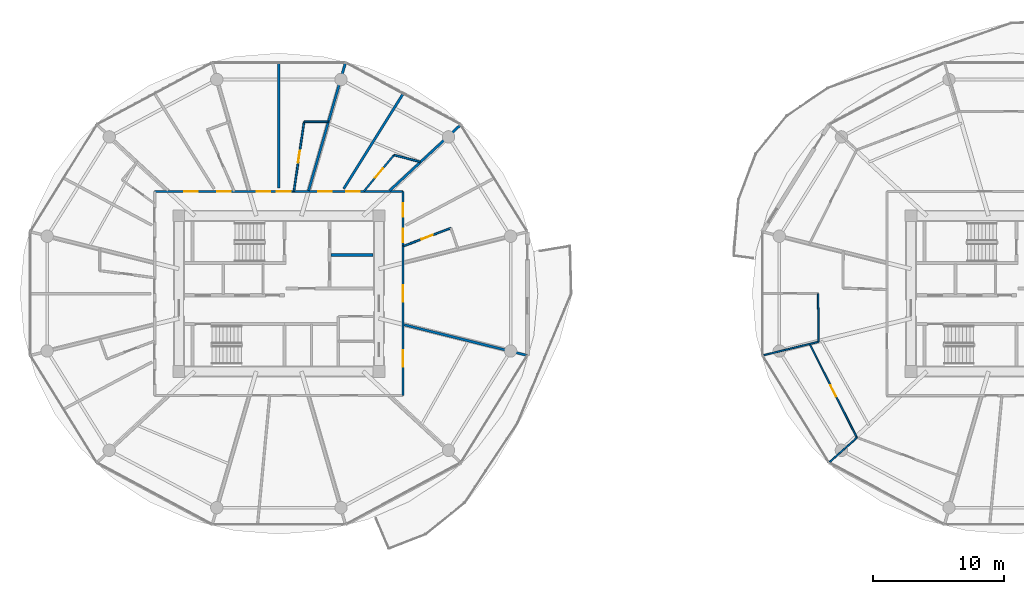
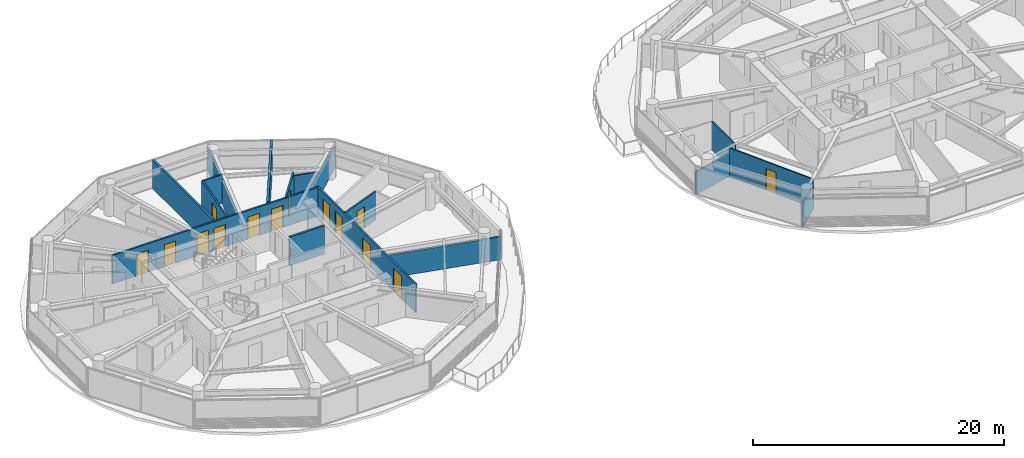
# One storey, part 17 of 27: 17 walls, 14 doors, 14 openings.
"""IFC4 building model written with IfcOpenShell, lengths in metres."""

from ifc_helpers import new_model, si_unit, direction, frame, frame_2d, origin, place, context, subcontext, project, spatial, rectangle, extrude, source, transform, mapped, material, layer, layer_set, type_object, type_shapes, element, fill, save


model = new_model("IFC4")

# Units and contexts
model_context = context("Model", 3, precision=1e-05, world=origin(), true_north=direction((0.0, 1.0)))
body_context = subcontext(model_context, "Body", "Model", "MODEL_VIEW")
ifc_project = project(units=[si_unit("LENGTHUNIT", "METRE"), si_unit("AREAUNIT", "SQUARE_METRE"), si_unit("VOLUMEUNIT", "CUBIC_METRE"), si_unit("PLANEANGLEUNIT", "RADIAN"), si_unit("MASSUNIT", "GRAM", prefix="KILO")], contexts=[model_context])

# Site, building, storey
site_placement = place(None, origin())
site = spatial("IfcSite", under=ifc_project, at=site_placement, CompositionType="ELEMENT")
building_placement = place(site_placement, origin())
building = spatial("IfcBuilding", under=site, at=building_placement, Name="Norrkilde Senior Care Towers", CompositionType="ELEMENT")
storey_placement = place(building_placement, frame((0.0, 0.0, 58.199951171875)))
storey = spatial("IfcBuildingStorey", under=building, at=storey_placement, Name="L17", CompositionType="ELEMENT", Elevation=58.199951171875)

# Wall
ifc_material_1 = material(Name="Concrete C45/55", Category="concrete")
ifc_layer_1 = layer(ifc_material_1, 0.199951171875)
ifc_layer_set_1 = layer_set([ifc_layer_1], Name="Concrete C45/55")
wall_type_1 = type_object("IfcWallType", Name="Shaft Division and Plant Partition 200", PredefinedType="PARTITIONING", material=ifc_layer_set_1)
shared_shape_1 = source(origin(), body_context, "Body", "SweptSolid", [
    extrude(rectangle(XDim=3.199951171875, YDim=0.199951171875, at=frame_2d((1.60009765625, 0.0))), origin(), (0.0, 0.0, 1.0), 2.775146484375),
])
type_shapes(wall_type_1, [shared_shape_1])
wall_1_placement = place(storey_placement, frame((-24.0, 2.949951171875, 0.0), z_axis=(0.0, 0.0, 1.0), x_axis=(1.0, 0.0, 0.0)))
element("IfcWall", 1, at=wall_1_placement, inside=storey, type_object=wall_type_1, Name="WL-INT-L17-W-FFLDIV", PredefinedType="PARTITIONING", context=body_context, shape_type="MappedRepresentation", body=[
    mapped(shared_shape_1, transform((0.0, 0.0, 0.0), x_axis=(1.0, 0.0, 0.0), y_axis=(0.0, 1.0, 0.0), z_axis=(0.0, 0.0, 1.0), scale=1.0)),
])

# Wall, openings, doors
ifc_material_2 = material(Name="Gypsum Acoustic Board")
ifc_layer_2 = layer(ifc_material_2, 0.1650390625)
ifc_layer_set_2 = layer_set([ifc_layer_2], Name="Gypsum Acoustic Board")
wall_type_2 = type_object("IfcWallType", Name="Corridor Rated Partition 165", PredefinedType="PARTITIONING", material=ifc_layer_set_2)
shared_shape_2 = source(origin(), body_context, "Body", "SweptSolid", [
    extrude(rectangle(XDim=19.0, YDim=0.1650390625, at=frame_2d((9.5, 0.0))), origin(), (0.0, 0.0, 1.0), 2.775146484375),
])
wall_2_placement = place(storey_placement, frame((-37.5, 7.800048828125, 0.0), z_axis=(0.0, 0.0, 1.0), x_axis=(1.0, 0.0, 0.0)))
wall_2 = element("IfcWall", 2, at=wall_2_placement, inside=storey, type_object=wall_type_2, Name="WL-INT-L17-W-CRW-N-0", PredefinedType="PARTITIONING", context=body_context, shape_type="MappedRepresentation", body=[
    mapped(shared_shape_2, transform((0.0, 0.0, 0.0), x_axis=(1.0, 0.0, 0.0), y_axis=(0.0, 1.0, 0.0), z_axis=(0.0, 0.0, 1.0), scale=1.0)),
])
opening_1_placement = place(wall_2_placement, frame((14.6533203125, 0.0, 0.0)))
opening_1 = element("IfcOpeningElement", 3, at=opening_1_placement, cuts=wall_2, Name="Opening D-06", PredefinedType="OPENING", context=body_context, shape_type="SweptSolid", body=[
    extrude(rectangle(XDim=1.050048828125, YDim=2.14990234375, at=frame_2d((0.52490234375, 1.074951171875))), frame((0.0, 0.092529296875, 0.0), z_axis=(0.0, -1.0, 0.0), x_axis=(1.0, 0.0, 0.0)), (0.0, 0.0, 1.0), 0.18505859375),
])
opening_2_placement = place(wall_2_placement, frame((12.499755859375, 0.0, 0.0)))
opening_2 = element("IfcOpeningElement", 4, at=opening_2_placement, cuts=wall_2, Name="Opening D-06", PredefinedType="OPENING", context=body_context, shape_type="SweptSolid", body=[
    extrude(rectangle(XDim=1.050048828125, YDim=2.14990234375, at=frame_2d((0.52490234375, 1.074951171875))), frame((0.0, 0.092529296875, 0.0), z_axis=(0.0, -1.0, 0.0), x_axis=(1.0, 0.0, 0.0)), (0.0, 0.0, 1.0), 0.18505859375),
])
opening_3_placement = place(wall_2_placement, frame((9.351806640625, 0.0, 0.0)))
opening_3 = element("IfcOpeningElement", 5, at=opening_3_placement, cuts=wall_2, Name="Opening D-06", PredefinedType="OPENING", context=body_context, shape_type="SweptSolid", body=[
    extrude(rectangle(XDim=1.050048828125, YDim=2.14990234375, at=frame_2d((0.52490234375, 1.074951171875))), frame((0.0, 0.092529296875, 0.0), z_axis=(0.0, -1.0, 0.0), x_axis=(1.0, 0.0, 0.0)), (0.0, 0.0, 1.0), 0.18505859375),
])
opening_4_placement = place(wall_2_placement, frame((7.806396484375, 0.0, 0.0)))
opening_4 = element("IfcOpeningElement", 6, at=opening_4_placement, cuts=wall_2, Name="Opening D-06", PredefinedType="OPENING", context=body_context, shape_type="SweptSolid", body=[
    extrude(rectangle(XDim=1.050048828125, YDim=2.14990234375, at=frame_2d((0.52490234375, 1.074951171875))), frame((0.0, 0.092529296875, 0.0), z_axis=(0.0, -1.0, 0.0), x_axis=(1.0, 0.0, 0.0)), (0.0, 0.0, 1.0), 0.18505859375),
])
opening_5_placement = place(wall_2_placement, frame((4.77294921875, 0.0, 0.0)))
opening_5 = element("IfcOpeningElement", 7, at=opening_5_placement, cuts=wall_2, Name="Opening D-06", PredefinedType="OPENING", context=body_context, shape_type="SweptSolid", body=[
    extrude(rectangle(XDim=1.050048828125, YDim=2.14990234375, at=frame_2d((0.52490234375, 1.074951171875))), frame((0.0, 0.092529296875, 0.0), z_axis=(0.0, -1.0, 0.0), x_axis=(1.0, 0.0, 0.0)), (0.0, 0.0, 1.0), 0.18505859375),
])
opening_6_placement = place(wall_2_placement, frame((2.251220703125, 0.0, 0.0)))
opening_6 = element("IfcOpeningElement", 8, at=opening_6_placement, cuts=wall_2, Name="Opening D-06", PredefinedType="OPENING", context=body_context, shape_type="SweptSolid", body=[
    extrude(rectangle(XDim=1.050048828125, YDim=2.14990234375, at=frame_2d((0.52490234375, 1.074951171875))), frame((0.0, 0.092529296875, 0.0), z_axis=(0.0, -1.0, 0.0), x_axis=(1.0, 0.0, 0.0)), (0.0, 0.0, 1.0), 0.18505859375),
])
ifc_material_3 = material(Name="Nordic Ash Timber", Category="wood")
door_type_1 = type_object("IfcDoorType", Name="Apartment Entrance Fire Door 1050x2150", OperationType="NOTDEFINED", PredefinedType="DOOR", material=ifc_material_3)
shared_shape_3 = source(origin(), body_context, "Body", "SweptSolid", [
    extrude(rectangle(XDim=1.050048828125, YDim=2.14990234375, at=frame_2d((0.52490234375, 1.074951171875))), frame((0.0, 0.02490234375, 0.0), z_axis=(0.0, -1.0, 0.0), x_axis=(1.0, 0.0, 0.0)), (0.0, 0.0, 1.0), 0.050048828125),
])
type_shapes(door_type_1, [shared_shape_3])
door_1_placement = place(opening_1_placement, frame((1.050048828125, 0.0, 0.0), z_axis=(0.0, 0.0, 1.0), x_axis=(-1.0, 0.0, 0.0)))
door_1 = element("IfcDoor", 9, at=door_1_placement, inside=storey, type_object=door_type_1, Name="L17 Care Suite 1701A Entrance Door", OperationType="SINGLE_SWING_LEFT", OverallHeight=2.14990234375, OverallWidth=1.050048828125, PredefinedType="DOOR", context=body_context, shape_type="MappedRepresentation", body=[
    mapped(shared_shape_3, transform((0.0, 0.0, 0.0), x_axis=(1.0, 0.0, 0.0), y_axis=(0.0, 1.0, 0.0), z_axis=(0.0, 0.0, 1.0), scale=1.0)),
])
fill(opening_1, door_1)
door_2_placement = place(opening_2_placement, frame((1.050048828125, 0.0, 0.0), z_axis=(0.0, 0.0, 1.0), x_axis=(-1.0, 0.0, 0.0)))
door_2 = element("IfcDoor", 10, at=door_2_placement, inside=storey, type_object=door_type_1, Name="L17 Therapy Day Lounge 01 Door", OperationType="SINGLE_SWING_LEFT", OverallHeight=2.14990234375, OverallWidth=1.050048828125, PredefinedType="DOOR", context=body_context, shape_type="MappedRepresentation", body=[
    mapped(shared_shape_3, transform((0.0, 0.0, 0.0), x_axis=(1.0, 0.0, 0.0), y_axis=(0.0, 1.0, 0.0), z_axis=(0.0, 0.0, 1.0), scale=1.0)),
])
fill(opening_2, door_2)
door_3_placement = place(opening_3_placement, frame((1.050048828125, 0.0, 0.0), z_axis=(0.0, 0.0, 1.0), x_axis=(-1.0, 0.0, 0.0)))
door_3 = element("IfcDoor", 11, at=door_3_placement, inside=storey, type_object=door_type_1, Name="L17 Care Suite 1702A Entrance Door", OperationType="SINGLE_SWING_RIGHT", OverallHeight=2.14990234375, OverallWidth=1.050048828125, PredefinedType="DOOR", context=body_context, shape_type="MappedRepresentation", body=[
    mapped(shared_shape_3, transform((0.0, 0.0, 0.0), x_axis=(1.0, 0.0, 0.0), y_axis=(0.0, 1.0, 0.0), z_axis=(0.0, 0.0, 1.0), scale=1.0)),
])
fill(opening_3, door_3)
door_4_placement = place(opening_4_placement, frame((1.050048828125, 0.0, 0.0), z_axis=(0.0, 0.0, 1.0), x_axis=(-1.0, 0.0, 0.0)))
door_4 = element("IfcDoor", 12, at=door_4_placement, inside=storey, type_object=door_type_1, Name="L17 Therapy Day Lounge 02 Door", OperationType="SINGLE_SWING_RIGHT", OverallHeight=2.14990234375, OverallWidth=1.050048828125, PredefinedType="DOOR", context=body_context, shape_type="MappedRepresentation", body=[
    mapped(shared_shape_3, transform((0.0, 0.0, 0.0), x_axis=(1.0, 0.0, 0.0), y_axis=(0.0, 1.0, 0.0), z_axis=(0.0, 0.0, 1.0), scale=1.0)),
])
fill(opening_4, door_4)
door_5_placement = place(opening_5_placement, frame((1.050048828125, 0.0, 0.0), z_axis=(0.0, 0.0, 1.0), x_axis=(-1.0, 0.0, 0.0)))
door_5 = element("IfcDoor", 13, at=door_5_placement, inside=storey, type_object=door_type_1, Name="L17 Care Suite 1703A Entrance Door", OperationType="SINGLE_SWING_LEFT", OverallHeight=2.14990234375, OverallWidth=1.050048828125, PredefinedType="DOOR", context=body_context, shape_type="MappedRepresentation", body=[
    mapped(shared_shape_3, transform((0.0, 0.0, 0.0), x_axis=(1.0, 0.0, 0.0), y_axis=(0.0, 1.0, 0.0), z_axis=(0.0, 0.0, 1.0), scale=1.0)),
])
fill(opening_5, door_5)
door_6_placement = place(opening_6_placement, frame((1.050048828125, 0.0, 0.0), z_axis=(0.0, 0.0, 1.0), x_axis=(-1.0, 0.0, 0.0)))
door_6 = element("IfcDoor", 14, at=door_6_placement, inside=storey, type_object=door_type_1, Name="L17 Therapy Day Lounge 03 Door", OperationType="SINGLE_SWING_LEFT", OverallHeight=2.14990234375, OverallWidth=1.050048828125, PredefinedType="DOOR", context=body_context, shape_type="MappedRepresentation", body=[
    mapped(shared_shape_3, transform((0.0, 0.0, 0.0), x_axis=(1.0, 0.0, 0.0), y_axis=(0.0, 1.0, 0.0), z_axis=(0.0, 0.0, 1.0), scale=1.0)),
])
fill(opening_6, door_6)

shared_shape_4 = source(origin(), body_context, "Body", "SweptSolid", [
    extrude(rectangle(XDim=15.60009765625, YDim=0.1650390625, at=frame_2d((7.800048828125, 0.0))), origin(), (0.0, 0.0, 1.0), 2.775146484375),
])
type_shapes(wall_type_2, [shared_shape_2, shared_shape_4])
wall_3_placement = place(storey_placement, frame((-18.5, 7.800048828125, 0.0), z_axis=(0.0, 0.0, 1.0), x_axis=(0.0, -1.0, 0.0)))
wall_3 = element("IfcWall", 15, at=wall_3_placement, inside=storey, type_object=wall_type_2, Name="WL-INT-L17-W-CRW-E-0", PredefinedType="PARTITIONING", context=body_context, shape_type="MappedRepresentation", body=[
    mapped(shared_shape_4, transform((0.0, 0.0, 0.0), x_axis=(1.0, 0.0, 0.0), y_axis=(0.0, 1.0, 0.0), z_axis=(0.0, 0.0, 1.0), scale=1.0)),
])
opening_7_placement = place(wall_3_placement, frame((12.141357421875, 0.0, 0.0)))
opening_7 = element("IfcOpeningElement", 16, at=opening_7_placement, cuts=wall_3, Name="Opening D-05", PredefinedType="OPENING", context=body_context, shape_type="SweptSolid", body=[
    extrude(rectangle(XDim=1.25, YDim=2.199951171875, at=frame_2d((0.625, 1.10009765625))), frame((0.0, 0.092529296875, 0.0), z_axis=(0.0, -1.0, 0.0), x_axis=(1.0, 0.0, 0.0)), (0.0, 0.0, 1.0), 0.18505859375),
])
opening_8_placement = place(wall_3_placement, frame((7.175048828125, 0.0, 0.0)))
opening_8 = element("IfcOpeningElement", 17, at=opening_8_placement, cuts=wall_3, Name="Opening D-05", PredefinedType="OPENING", context=body_context, shape_type="SweptSolid", body=[
    extrude(rectangle(XDim=1.25, YDim=2.199951171875, at=frame_2d((0.625, 1.10009765625))), frame((0.0, 0.092529296875, 0.0), z_axis=(0.0, -1.0, 0.0), x_axis=(1.0, 0.0, 0.0)), (0.0, 0.0, 1.0), 0.18505859375),
])
opening_9_placement = place(wall_3_placement, frame((2.826416015625, 0.0, 0.0)))
opening_9 = element("IfcOpeningElement", 18, at=opening_9_placement, cuts=wall_3, Name="Opening D-06", PredefinedType="OPENING", context=body_context, shape_type="SweptSolid", body=[
    extrude(rectangle(XDim=1.050048828125, YDim=2.14990234375, at=frame_2d((0.52490234375, 1.074951171875))), frame((0.0, 0.092529296875, 0.0), z_axis=(0.0, -1.0, 0.0), x_axis=(1.0, 0.0, 0.0)), (0.0, 0.0, 1.0), 0.18505859375),
])
opening_10_placement = place(wall_3_placement, frame((0.88134765625, 0.0, 0.0)))
opening_10 = element("IfcOpeningElement", 19, at=opening_10_placement, cuts=wall_3, Name="Opening D-06", PredefinedType="OPENING", context=body_context, shape_type="SweptSolid", body=[
    extrude(rectangle(XDim=1.050048828125, YDim=2.14990234375, at=frame_2d((0.52490234375, 1.074951171875))), frame((0.0, 0.092529296875, 0.0), z_axis=(0.0, -1.0, 0.0), x_axis=(1.0, 0.0, 0.0)), (0.0, 0.0, 1.0), 0.18505859375),
])
door_type_2 = type_object("IfcDoorType", Name="Care Bedroom Bariatric Door 1250x2200", OperationType="NOTDEFINED", PredefinedType="DOOR", material=ifc_material_3)
shared_shape_5 = source(origin(), body_context, "Body", "SweptSolid", [
    extrude(rectangle(XDim=1.25, YDim=2.199951171875, at=frame_2d((0.625, 1.10009765625))), frame((0.0, 0.02490234375, 0.0), z_axis=(0.0, -1.0, 0.0), x_axis=(1.0, 0.0, 0.0)), (0.0, 0.0, 1.0), 0.050048828125),
])
type_shapes(door_type_2, [shared_shape_5])
door_7_placement = place(opening_7_placement, frame((1.25, 0.0, 0.0), z_axis=(0.0, 0.0, 1.0), x_axis=(-1.0, 0.0, 0.0)))
door_7 = element("IfcDoor", 20, at=door_7_placement, inside=storey, type_object=door_type_2, Name="L17 Household Communal Dining Salon Door", OperationType="SINGLE_SWING_LEFT", OverallHeight=2.199951171875, OverallWidth=1.25, PredefinedType="DOOR", context=body_context, shape_type="MappedRepresentation", body=[
    mapped(shared_shape_5, transform((0.0, 0.0, 0.0), x_axis=(1.0, 0.0, 0.0), y_axis=(0.0, 1.0, 0.0), z_axis=(0.0, 0.0, 1.0), scale=1.0)),
])
fill(opening_7, door_7)
door_8_placement = place(opening_8_placement, frame((1.25, 0.0, 0.0), z_axis=(0.0, 0.0, 1.0), x_axis=(-1.0, 0.0, 0.0)))
door_8 = element("IfcDoor", 21, at=door_8_placement, inside=storey, type_object=door_type_2, Name="L17 Household Therapeutic Kitchen Door", OperationType="SINGLE_SWING_RIGHT", OverallHeight=2.199951171875, OverallWidth=1.25, PredefinedType="DOOR", context=body_context, shape_type="MappedRepresentation", body=[
    mapped(shared_shape_5, transform((0.0, 0.0, 0.0), x_axis=(1.0, 0.0, 0.0), y_axis=(0.0, 1.0, 0.0), z_axis=(0.0, 0.0, 1.0), scale=1.0)),
])
fill(opening_8, door_8)
door_9_placement = place(opening_9_placement, frame((1.050048828125, 0.0, 0.0), z_axis=(0.0, 0.0, 1.0), x_axis=(-1.0, 0.0, 0.0)))
door_9 = element("IfcDoor", 22, at=door_9_placement, inside=storey, type_object=door_type_1, Name="L17 Care Suite 1700A Entrance Door", OperationType="SINGLE_SWING_RIGHT", OverallHeight=2.14990234375, OverallWidth=1.050048828125, PredefinedType="DOOR", context=body_context, shape_type="MappedRepresentation", body=[
    mapped(shared_shape_3, transform((0.0, 0.0, 0.0), x_axis=(1.0, 0.0, 0.0), y_axis=(0.0, 1.0, 0.0), z_axis=(0.0, 0.0, 1.0), scale=1.0)),
])
fill(opening_9, door_9)
door_10_placement = place(opening_10_placement, frame((1.050048828125, 0.0, 0.0), z_axis=(0.0, 0.0, 1.0), x_axis=(-1.0, 0.0, 0.0)))
door_10 = element("IfcDoor", 23, at=door_10_placement, inside=storey, type_object=door_type_1, Name="L17 Therapy Day Lounge 00 Door", OperationType="SINGLE_SWING_RIGHT", OverallHeight=2.14990234375, OverallWidth=1.050048828125, PredefinedType="DOOR", context=body_context, shape_type="MappedRepresentation", body=[
    mapped(shared_shape_3, transform((0.0, 0.0, 0.0), x_axis=(1.0, 0.0, 0.0), y_axis=(0.0, 1.0, 0.0), z_axis=(0.0, 0.0, 1.0), scale=1.0)),
])
fill(opening_10, door_10)

# Walls
ifc_layer_3 = layer(ifc_material_2, 0.18994140625)
ifc_layer_set_3 = layer_set([ifc_layer_3], Name="Gypsum Acoustic Board")
wall_type_3 = type_object("IfcWallType", Name="Unit Demising Acoustic Wall 190", PredefinedType="PARTITIONING", material=ifc_layer_set_3)
shared_shape_6 = source(origin(), body_context, "Body", "SweptSolid", [
    extrude(rectangle(XDim=7.4345703125, YDim=0.18994140625, at=frame_2d((3.71728515625, 0.0))), origin(), (0.0, 0.0, 1.0), 2.22509765625),
])
wall_4_placement = place(storey_placement, frame((-19.51708984375, 7.8798828125, 0.0), z_axis=(0.0, 0.0, 1.0), x_axis=(0.732651956848, 0.680603489652, 0.0)))
element("IfcWall", 24, at=wall_4_placement, inside=storey, type_object=wall_type_3, Name="WL-INT-L17-W-DEM-01-0", PredefinedType="PARTITIONING", context=body_context, shape_type="MappedRepresentation", body=[
    mapped(shared_shape_6, transform((0.0, 0.0, 0.0), x_axis=(1.0, 0.0, 0.0), y_axis=(0.0, 1.0, 0.0), z_axis=(0.0, 0.0, 1.0), scale=1.0)),
])
shared_shape_7 = source(origin(), body_context, "Body", "SweptSolid", [
    extrude(rectangle(XDim=10.196044921875, YDim=0.18994140625, at=frame_2d((5.09814453125, 0.0))), origin(), (0.0, 0.0, 1.0), 2.22509765625),
])
wall_5_placement = place(storey_placement, frame((-25.72705078125, 7.8798828125, 0.0), z_axis=(0.0, 0.0, 1.0), x_axis=(0.277136420347, 0.960830580549, 0.0)))
element("IfcWall", 25, at=wall_5_placement, inside=storey, type_object=wall_type_3, Name="WL-INT-L17-W-DEM-02-0", PredefinedType="PARTITIONING", context=body_context, shape_type="MappedRepresentation", body=[
    mapped(shared_shape_7, transform((0.0, 0.0, 0.0), x_axis=(1.0, 0.0, 0.0), y_axis=(0.0, 1.0, 0.0), z_axis=(0.0, 0.0, 1.0), scale=1.0)),
])
shared_shape_8 = source(origin(), body_context, "Body", "SweptSolid", [
    extrude(rectangle(XDim=8.59814453125, YDim=0.18994140625, at=frame_2d((4.299072265625, 0.0))), origin(), (0.0, 0.0, 1.0), 2.775146484375),
])
wall_6_placement = place(storey_placement, frame((-23.04296875, 8.017333984375, 0.0), z_axis=(0.0, 0.0, 1.0), x_axis=(0.530039776395, 0.847972779893, 0.0)))
element("IfcWall", 26, at=wall_6_placement, inside=storey, type_object=wall_type_3, Name="WL-INT-L17-W-CMID-01", PredefinedType="PARTITIONING", context=body_context, shape_type="MappedRepresentation", body=[
    mapped(shared_shape_8, transform((0.0, 0.0, 0.0), x_axis=(1.0, 0.0, 0.0), y_axis=(0.0, 1.0, 0.0), z_axis=(0.0, 0.0, 1.0), scale=1.0)),
])

# Wall, opening, door
ifc_layer_4 = layer(ifc_material_2, 0.139892578125)
ifc_layer_set_4 = layer_set([ifc_layer_4], Name="Gypsum Acoustic Board")
wall_type_4 = type_object("IfcWallType", Name="En-suite Wet Room Wall 140", PredefinedType="PARTITIONING", material=ifc_layer_set_4)
shared_shape_9 = source(origin(), body_context, "Body", "SweptSolid", [
    extrude(rectangle(XDim=3.594482421875, YDim=0.139892578125, at=frame_2d((1.79736328125, 0.0))), origin(), (0.0, 0.0, 1.0), 2.775146484375),
])
wall_7_placement = place(storey_placement, frame((-21.49560546875, 7.830078125, 0.0), z_axis=(0.0, 0.0, 1.0), x_axis=(0.639001147083, 0.769205781326, 0.0)))
wall_7 = element("IfcWall", 27, at=wall_7_placement, inside=storey, type_object=wall_type_4, Name="WL-INT-L17-W-ES-01A", PredefinedType="PARTITIONING", context=body_context, shape_type="MappedRepresentation", body=[
    mapped(shared_shape_9, transform((0.0, 0.0, 0.0), x_axis=(1.0, 0.0, 0.0), y_axis=(0.0, 1.0, 0.0), z_axis=(0.0, 0.0, 1.0), scale=1.0)),
])
opening_11_placement = place(wall_7_placement, frame((1.33740234375, 0.0, 0.0)))
opening_11 = element("IfcOpeningElement", 28, at=opening_11_placement, cuts=wall_7, Name="Opening D-08", PredefinedType="OPENING", context=body_context, shape_type="SweptSolid", body=[
    extrude(rectangle(XDim=0.919921875, YDim=2.10009765625, at=frame_2d((0.4599609375, 1.050048828125))), frame((0.0, 0.079833984375, 0.0), z_axis=(0.0, -1.0, 0.0), x_axis=(1.0, 0.0, 0.0)), (0.0, 0.0, 1.0), 0.159912109375),
])
door_type_3 = type_object("IfcDoorType", Name="Accessible Wet Room Door 920x2100", OperationType="NOTDEFINED", PredefinedType="DOOR", material=ifc_material_3)
shared_shape_10 = source(origin(), body_context, "Body", "SweptSolid", [
    extrude(rectangle(XDim=0.919921875, YDim=2.10009765625, at=frame_2d((0.4599609375, 1.050048828125))), frame((0.0, 0.02490234375, 0.0), z_axis=(0.0, -1.0, 0.0), x_axis=(1.0, 0.0, 0.0)), (0.0, 0.0, 1.0), 0.050048828125),
])
type_shapes(door_type_3, [shared_shape_10])
door_11_placement = place(opening_11_placement, origin())
door_11 = element("IfcDoor", 29, at=door_11_placement, inside=storey, type_object=door_type_3, Name="L17 Care Suite 1701A Bathroom Door", OperationType="SINGLE_SWING_RIGHT", OverallHeight=2.10009765625, OverallWidth=0.919921875, PredefinedType="DOOR", context=body_context, shape_type="MappedRepresentation", body=[
    mapped(shared_shape_10, transform((0.0, 0.0, 0.0), x_axis=(1.0, 0.0, 0.0), y_axis=(0.0, 1.0, 0.0), z_axis=(0.0, 0.0, 1.0), scale=1.0)),
])
fill(opening_11, door_11)

# Walls
shared_shape_11 = source(origin(), body_context, "Body", "SweptSolid", [
    extrude(rectangle(XDim=2.06201171875, YDim=0.139892578125, at=frame_2d((1.031005859375, 0.0))), origin(), (0.0, 0.0, 1.0), 2.4150390625),
])
wall_8_placement = place(storey_placement, frame((-19.19873046875, 10.594970703125, 0.0), z_axis=(0.0, 0.0, 1.0), x_axis=(0.968776253543, -0.247936626121, 0.0)))
element("IfcWall", 30, at=wall_8_placement, inside=storey, type_object=wall_type_4, Name="WL-INT-L17-W-EF-01A", PredefinedType="PARTITIONING", context=body_context, shape_type="MappedRepresentation", body=[
    mapped(shared_shape_11, transform((0.0, 0.0, 0.0), x_axis=(1.0, 0.0, 0.0), y_axis=(0.0, 1.0, 0.0), z_axis=(0.0, 0.0, 1.0), scale=1.0)),
])
shared_shape_12 = source(origin(), body_context, "Body", "SweptSolid", [
    extrude(rectangle(XDim=9.737060546875, YDim=0.18994140625, at=frame_2d((4.86865234375, 0.0))), origin(), (0.0, 0.0, 1.0), 2.22509765625),
])
wall_9_placement = place(storey_placement, frame((-18.419921875, -2.384521484375, 0.0), z_axis=(0.0, 0.0, 1.0), x_axis=(0.970392716238, -0.241532557375, 0.0)))
element("IfcWall", 31, at=wall_9_placement, inside=storey, type_object=wall_type_3, Name="WL-INT-L17-W-DEM-11-0", PredefinedType="PARTITIONING", context=body_context, shape_type="MappedRepresentation", body=[
    mapped(shared_shape_12, transform((0.0, 0.0, 0.0), x_axis=(1.0, 0.0, 0.0), y_axis=(0.0, 1.0, 0.0), z_axis=(0.0, 0.0, 1.0), scale=1.0)),
])

# Wall, opening, door
shared_shape_13 = source(origin(), body_context, "Body", "SweptSolid", [
    extrude(rectangle(XDim=3.8740234375, YDim=0.139892578125, at=frame_2d((1.93701171875, 0.0))), origin(), (0.0, 0.0, 1.0), 2.775146484375),
])
wall_10_placement = place(storey_placement, frame((-18.469970703125, 3.631591796875, 0.0), z_axis=(0.0, 0.0, 1.0), x_axis=(0.934461775659, 0.35606346321, 0.0)))
wall_10 = element("IfcWall", 32, at=wall_10_placement, inside=storey, type_object=wall_type_4, Name="WL-INT-L17-W-ES-00A", PredefinedType="PARTITIONING", context=body_context, shape_type="MappedRepresentation", body=[
    mapped(shared_shape_13, transform((0.0, 0.0, 0.0), x_axis=(1.0, 0.0, 0.0), y_axis=(0.0, 1.0, 0.0), z_axis=(0.0, 0.0, 1.0), scale=1.0)),
])
opening_12_placement = place(wall_10_placement, frame((1.47705078125, 0.0, 0.0)))
opening_12 = element("IfcOpeningElement", 33, at=opening_12_placement, cuts=wall_10, Name="Opening D-08", PredefinedType="OPENING", context=body_context, shape_type="SweptSolid", body=[
    extrude(rectangle(XDim=0.919921875, YDim=2.10009765625, at=frame_2d((0.4599609375, 1.050048828125))), frame((0.0, 0.079833984375, 0.0), z_axis=(0.0, -1.0, 0.0), x_axis=(1.0, 0.0, 0.0)), (0.0, 0.0, 1.0), 0.159912109375),
])
door_12_placement = place(opening_12_placement, origin())
door_12 = element("IfcDoor", 34, at=door_12_placement, inside=storey, type_object=door_type_3, Name="L17 Care Suite 1700A Bathroom Door", OperationType="SINGLE_SWING_LEFT", OverallHeight=2.10009765625, OverallWidth=0.919921875, PredefinedType="DOOR", context=body_context, shape_type="MappedRepresentation", body=[
    mapped(shared_shape_10, transform((0.0, 0.0, 0.0), x_axis=(1.0, 0.0, 0.0), y_axis=(0.0, 1.0, 0.0), z_axis=(0.0, 0.0, 1.0), scale=1.0)),
])
fill(opening_12, door_12)

ifc_layer_5 = layer(ifc_material_2, 0.114990234375)
ifc_layer_set_5 = layer_set([ifc_layer_5], Name="Gypsum Acoustic Board")
wall_type_5 = type_object("IfcWallType", Name="Internal Room Partition 115", PredefinedType="PARTITIONING", material=ifc_layer_set_5)
shared_shape_14 = source(origin(), body_context, "Body", "SweptSolid", [
    extrude(rectangle(XDim=8.017822265625, YDim=0.114990234375, at=frame_2d((4.0087890625, 0.0))), origin(), (0.0, 0.0, 1.0), 2.775146484375),
])
wall_11_placement = place(storey_placement, frame((12.595947265625, -3.854248046875, 0.0), z_axis=(0.0, 0.0, 1.0), x_axis=(0.450134355233, -0.89296084026, 0.0)))
wall_11 = element("IfcWall", 35, at=wall_11_placement, inside=storey, type_object=wall_type_5, Name="WL-INT-L17-E-UBC-05-1", PredefinedType="PARTITIONING", context=body_context, shape_type="MappedRepresentation", body=[
    mapped(shared_shape_14, transform((0.0, 0.0, 0.0), x_axis=(1.0, 0.0, 0.0), y_axis=(0.0, 1.0, 0.0), z_axis=(0.0, 0.0, 1.0), scale=1.0)),
])
opening_13_placement = place(wall_11_placement, frame((3.533935546875, 0.0, 0.0)))
opening_13 = element("IfcOpeningElement", 36, at=opening_13_placement, cuts=wall_11, Name="Opening D-07", PredefinedType="OPENING", context=body_context, shape_type="SweptSolid", body=[
    extrude(rectangle(XDim=0.949951171875, YDim=2.10009765625, at=frame_2d((0.47509765625, 1.050048828125))), frame((0.0, 0.0673828125, 0.0), z_axis=(0.0, -1.0, 0.0), x_axis=(1.0, 0.0, 0.0)), (0.0, 0.0, 1.0), 0.135009765625),
])
door_type_4 = type_object("IfcDoorType", Name="Internal Suite Bedroom Door 950x2100", OperationType="NOTDEFINED", PredefinedType="DOOR", material=ifc_material_3)
shared_shape_15 = source(origin(), body_context, "Body", "SweptSolid", [
    extrude(rectangle(XDim=0.949951171875, YDim=2.10009765625, at=frame_2d((0.47509765625, 1.050048828125))), frame((0.0, 0.02490234375, 0.0), z_axis=(0.0, -1.0, 0.0), x_axis=(1.0, 0.0, 0.0)), (0.0, 0.0, 1.0), 0.050048828125),
])
type_shapes(door_type_4, [shared_shape_15])
door_13_placement = place(opening_13_placement, origin())
door_13 = element("IfcDoor", 37, at=door_13_placement, inside=storey, type_object=door_type_4, Name="Apartment 17A Bedroom 1 Door", OperationType="SINGLE_SWING_LEFT", OverallHeight=2.10009765625, OverallWidth=0.949951171875, PredefinedType="DOOR", context=body_context, shape_type="MappedRepresentation", body=[
    mapped(shared_shape_15, transform((0.0, 0.0, 0.0), x_axis=(1.0, 0.0, 0.0), y_axis=(0.0, 1.0, 0.0), z_axis=(0.0, 0.0, 1.0), scale=1.0)),
])
fill(opening_13, door_13)

# Walls
shared_shape_16 = source(origin(), body_context, "Body", "SweptSolid", [
    extrude(rectangle(XDim=2.887451171875, YDim=0.114990234375, at=frame_2d((1.44384765625, 0.0))), origin(), (0.0, 0.0, 1.0), 2.22509765625),
])
wall_12_placement = place(storey_placement, frame((16.2138671875, -11.005615234375, 0.0), z_axis=(0.0, 0.0, 1.0), x_axis=(-0.742448503307, -0.669903142205, 0.0)))
element("IfcWall", 38, at=wall_12_placement, inside=storey, type_object=wall_type_5, Name="WL-INT-L17-E-UBR-05-2", PredefinedType="PARTITIONING", context=body_context, shape_type="MappedRepresentation", body=[
    mapped(shared_shape_16, transform((0.0, 0.0, 0.0), x_axis=(1.0, 0.0, 0.0), y_axis=(0.0, 1.0, 0.0), z_axis=(0.0, 0.0, 1.0), scale=1.0)),
])
shared_shape_17 = source(origin(), body_context, "Body", "SweptSolid", [
    extrude(rectangle(XDim=4.4140625, YDim=0.114990234375, at=frame_2d((2.20703125, 0.0))), origin(), (0.0, 0.0, 1.0), 2.22509765625),
])
wall_13_placement = place(storey_placement, frame((13.259033203125, -3.688232421875, 0.0), z_axis=(0.0, 0.0, 1.0), x_axis=(-0.971401274504, -0.237443812073, 0.0)))
element("IfcWall", 39, at=wall_13_placement, inside=storey, type_object=wall_type_5, Name="WL-INT-L17-E-UBR-05-1", PredefinedType="PARTITIONING", context=body_context, shape_type="MappedRepresentation", body=[
    mapped(shared_shape_17, transform((0.0, 0.0, 0.0), x_axis=(1.0, 0.0, 0.0), y_axis=(0.0, 1.0, 0.0), z_axis=(0.0, 0.0, 1.0), scale=1.0)),
])
shared_shape_18 = source(origin(), body_context, "Body", "SweptSolid", [
    extrude(rectangle(XDim=9.6005859375, YDim=0.18994140625, at=frame_2d((4.80029296875, 0.0))), origin(), (0.0, 0.0, 1.0), 2.775146484375),
])
type_shapes(wall_type_3, [shared_shape_6, shared_shape_7, shared_shape_8, shared_shape_12, shared_shape_18])
wall_14_placement = place(storey_placement, frame((-28.0, 8.075927734375, 0.0), z_axis=(0.0, 0.0, 1.0), x_axis=(0.0, 1.0, 0.0)))
element("IfcWall", 40, at=wall_14_placement, inside=storey, type_object=wall_type_3, Name="WL-INT-L17-W-CMID-02", PredefinedType="PARTITIONING", context=body_context, shape_type="MappedRepresentation", body=[
    mapped(shared_shape_18, transform((0.0, 0.0, 0.0), x_axis=(1.0, 0.0, 0.0), y_axis=(0.0, 1.0, 0.0), z_axis=(0.0, 0.0, 1.0), scale=1.0)),
])

# Wall, opening, door
shared_shape_19 = source(origin(), body_context, "Body", "SweptSolid", [
    extrude(rectangle(XDim=5.36962890625, YDim=0.139892578125, at=frame_2d((2.684814453125, 0.0))), origin(), (0.0, 0.0, 1.0), 2.775146484375),
])
wall_15_placement = place(storey_placement, frame((-26.851318359375, 7.830078125, 0.0), z_axis=(0.0, 0.0, 1.0), x_axis=(0.145131397853, 0.989412389935, 0.0)))
wall_15 = element("IfcWall", 41, at=wall_15_placement, inside=storey, type_object=wall_type_4, Name="WL-INT-L17-W-ES-02A", PredefinedType="PARTITIONING", context=body_context, shape_type="MappedRepresentation", body=[
    mapped(shared_shape_19, transform((0.0, 0.0, 0.0), x_axis=(1.0, 0.0, 0.0), y_axis=(0.0, 1.0, 0.0), z_axis=(0.0, 0.0, 1.0), scale=1.0)),
])
opening_14_placement = place(wall_15_placement, frame((2.224853515625, 0.0, 0.0)))
opening_14 = element("IfcOpeningElement", 42, at=opening_14_placement, cuts=wall_15, Name="Opening D-08", PredefinedType="OPENING", context=body_context, shape_type="SweptSolid", body=[
    extrude(rectangle(XDim=0.919921875, YDim=2.10009765625, at=frame_2d((0.4599609375, 1.050048828125))), frame((0.0, 0.079833984375, 0.0), z_axis=(0.0, -1.0, 0.0), x_axis=(1.0, 0.0, 0.0)), (0.0, 0.0, 1.0), 0.159912109375),
])
door_14_placement = place(opening_14_placement, origin())
door_14 = element("IfcDoor", 43, at=door_14_placement, inside=storey, type_object=door_type_3, Name="L17 Care Suite 1702A Bathroom Door", OperationType="SINGLE_SWING_LEFT", OverallHeight=2.10009765625, OverallWidth=0.919921875, PredefinedType="DOOR", context=body_context, shape_type="MappedRepresentation", body=[
    mapped(shared_shape_10, transform((0.0, 0.0, 0.0), x_axis=(1.0, 0.0, 0.0), y_axis=(0.0, 1.0, 0.0), z_axis=(0.0, 0.0, 1.0), scale=1.0)),
])
fill(opening_14, door_14)

# Walls
shared_shape_20 = source(origin(), body_context, "Body", "SweptSolid", [
    extrude(rectangle(XDim=1.842529296875, YDim=0.139892578125, at=frame_2d((0.92138671875, 0.0))), origin(), (0.0, 0.0, 1.0), 2.775146484375),
])
type_shapes(wall_type_4, [shared_shape_9, shared_shape_11, shared_shape_13, shared_shape_19, shared_shape_20])
wall_16_placement = place(storey_placement, frame((-26.072021484375, 13.142822265625, 0.0), z_axis=(0.0, 0.0, 1.0), x_axis=(0.999998937801, -0.001457531246, 0.0)))
element("IfcWall", 44, at=wall_16_placement, inside=storey, type_object=wall_type_4, Name="WL-INT-L17-W-EF-02A", PredefinedType="PARTITIONING", context=body_context, shape_type="MappedRepresentation", body=[
    mapped(shared_shape_20, transform((0.0, 0.0, 0.0), x_axis=(1.0, 0.0, 0.0), y_axis=(0.0, 1.0, 0.0), z_axis=(0.0, 0.0, 1.0), scale=1.0)),
])
shared_shape_21 = source(origin(), body_context, "Body", "SweptSolid", [
    extrude(rectangle(XDim=3.688720703125, YDim=0.114990234375, at=frame_2d((1.84423828125, 0.0))), origin(), (0.0, 0.0, 1.0), 2.775146484375),
])
type_shapes(wall_type_5, [shared_shape_14, shared_shape_16, shared_shape_17, shared_shape_21])
wall_17_placement = place(storey_placement, frame((13.25, 0.0, 0.0), z_axis=(0.0, 0.0, 1.0), x_axis=(0.001919382261, -0.999998157984, 0.0)))
element("IfcWall", 45, at=wall_17_placement, inside=storey, type_object=wall_type_5, Name="WL-INT-L17-E-UKTF-05", PredefinedType="PARTITIONING", context=body_context, shape_type="MappedRepresentation", body=[
    mapped(shared_shape_21, transform((0.0, 0.0, 0.0), x_axis=(1.0, 0.0, 0.0), y_axis=(0.0, 1.0, 0.0), z_axis=(0.0, 0.0, 1.0), scale=1.0)),
])

save(model, "model.ifc")
